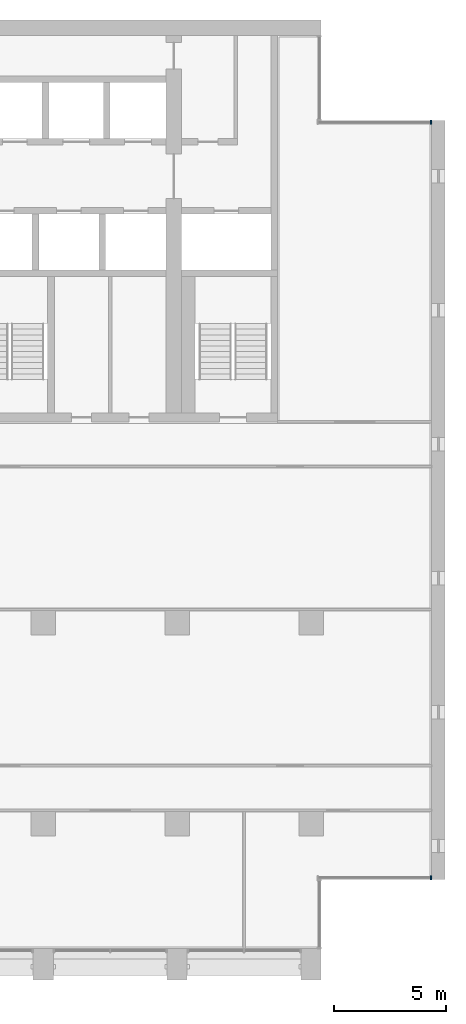
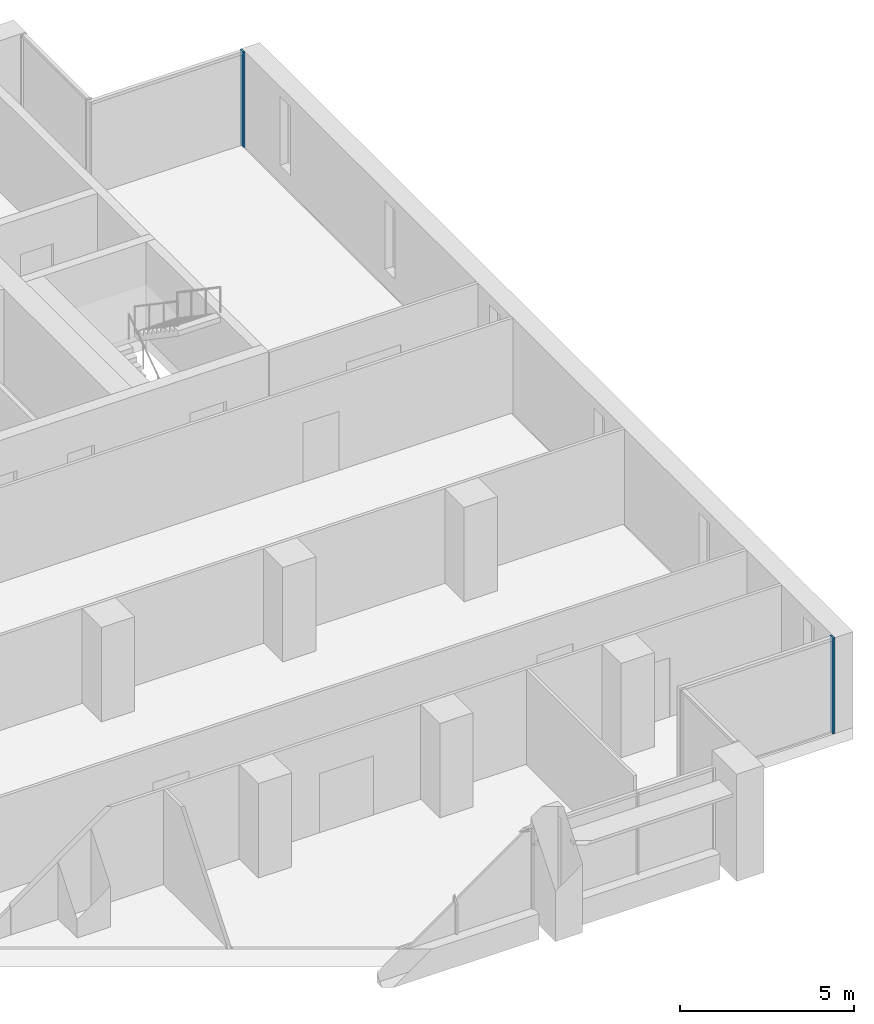
# One storey, part 6 of 17: 2 members, 2 elements without a shape of their own.
"""IFC4 building model written with IfcOpenShell, lengths in metres."""

from ifc_helpers import new_model, si_unit, direction, frame, origin, origin_2d, place, context, subcontext, project, spatial, rectangle, extrude, material, material_profile, profile_set, type_object, element, aggregate, save


model = new_model("IFC4")

# Units and contexts
model_context = context("Model", 3, precision=1e-05, world=origin(), true_north=direction((0.0, 1.0)))
body_context = subcontext(model_context, "Body", "Model", "MODEL_VIEW")
ifc_project = project(units=[si_unit("LENGTHUNIT", "METRE"), si_unit("AREAUNIT", "SQUARE_METRE"), si_unit("VOLUMEUNIT", "CUBIC_METRE"), si_unit("PLANEANGLEUNIT", "RADIAN"), si_unit("MASSUNIT", "GRAM", prefix="KILO")], contexts=[model_context])

# Site, building, storey
site_placement = place(None, origin())
site = spatial("IfcSite", under=ifc_project, at=site_placement, CompositionType="ELEMENT")
building_placement = place(site_placement, origin())
building = spatial("IfcBuilding", under=site, at=building_placement, Name="Calvaro Tower", CompositionType="ELEMENT")
storey_placement = place(building_placement, frame((0.0, 0.0, 193.0)))
storey = spatial("IfcBuildingStorey", under=building, at=storey_placement, Name="L48", CompositionType="ELEMENT", Elevation=193.0)

# Curtain wall, member
ifc_material_1 = material(Name="Anodised aluminium", Category="aluminium")
curtain_wall_type = type_object("IfcCurtainWallType", Name="Office curtain wall, upper zone", PredefinedType="NOTDEFINED", material=ifc_material_1)
curtain_wall_1_placement = place(storey_placement, origin())
curtain_wall_1 = element("IfcCurtainWall", 1, at=curtain_wall_1_placement, inside=storey, type_object=curtain_wall_type, Name="CW3 corner curtain wall", PredefinedType="NOTDEFINED")
ifc_material_2 = material(Name="Anodised aluminium", Category="aluminium")
ifc_material_profile = material_profile(ifc_material_2, rectangle(XDim=0.179931640625, YDim=0.06005859375, at=origin_2d()), Name="Mullion S3 60 x 180")
ifc_profile_set = profile_set([ifc_material_profile], Name="Anodised aluminium")
member_type = type_object("IfcMemberType", Name="Mullion S3 60 x 180", PredefinedType="MULLION", material=ifc_profile_set)
member_1_placement = place(storey_placement, frame((71.3701171875, 7.590087890625, 0.0), z_axis=(0.0, 0.0, 1.0), x_axis=(0.0, 1.0, 0.0)))
member_1 = element("IfcMember", 2, at=member_1_placement, type_object=member_type, Name="CW3 mullion 2", PredefinedType="MULLION", context=body_context, shape_type="SweptSolid", body=[
    extrude(rectangle(XDim=0.179931640625, YDim=0.06005859375, at=origin_2d()), origin(), (0.0, 0.0, 1.0), 3.35009765625),
])
aggregate(curtain_wall_1, [member_1])

curtain_wall_2_placement = place(storey_placement, origin())
curtain_wall_2 = element("IfcCurtainWall", 3, at=curtain_wall_2_placement, inside=storey, type_object=curtain_wall_type, Name="CW3 corner curtain wall", PredefinedType="NOTDEFINED")
member_2_placement = place(storey_placement, frame((71.3701171875, 41.409912109375, 0.0), z_axis=(0.0, 0.0, 1.0), x_axis=(0.0, 1.0, 0.0)))
member_2 = element("IfcMember", 4, at=member_2_placement, type_object=member_type, Name="CW3 mullion 2", PredefinedType="MULLION", context=body_context, shape_type="SweptSolid", body=[
    extrude(rectangle(XDim=0.179931640625, YDim=0.06005859375, at=origin_2d()), origin(), (0.0, 0.0, 1.0), 3.35009765625),
])
aggregate(curtain_wall_2, [member_2])

save(model, "model.ifc")
